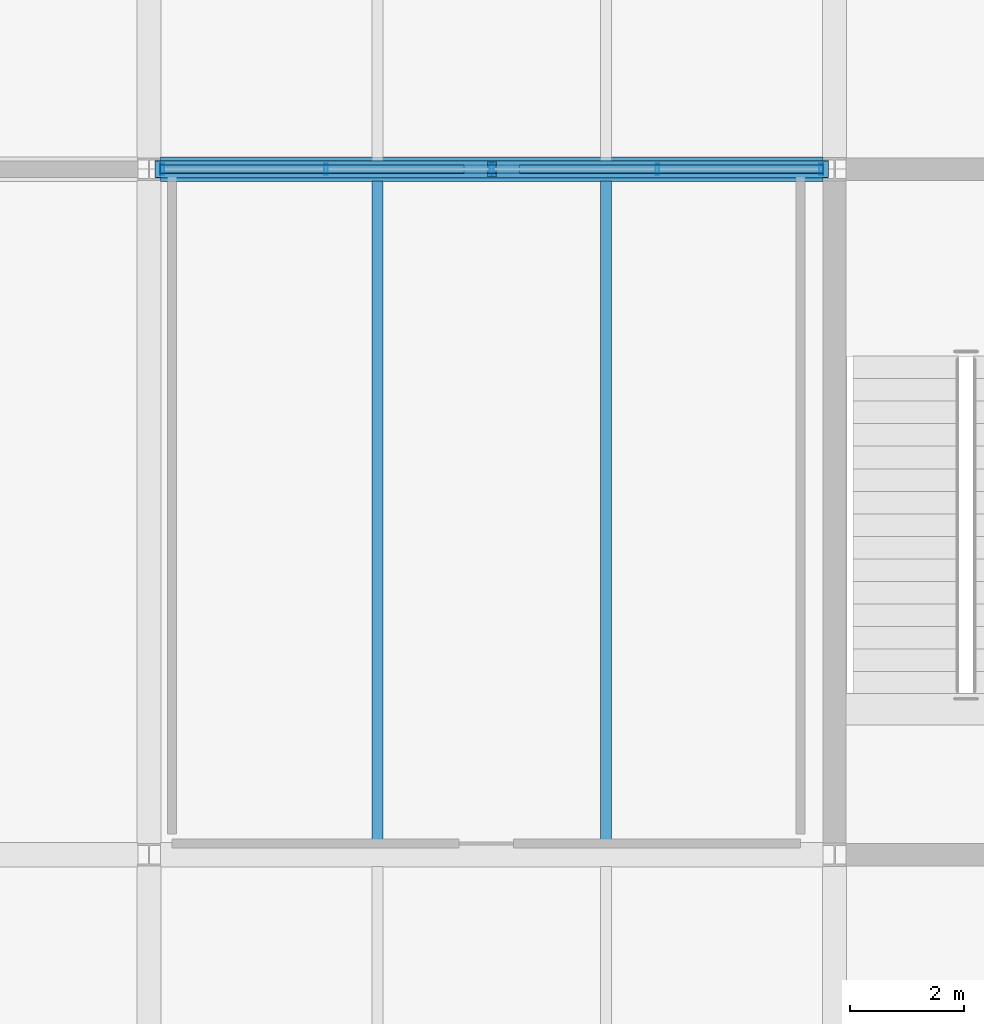
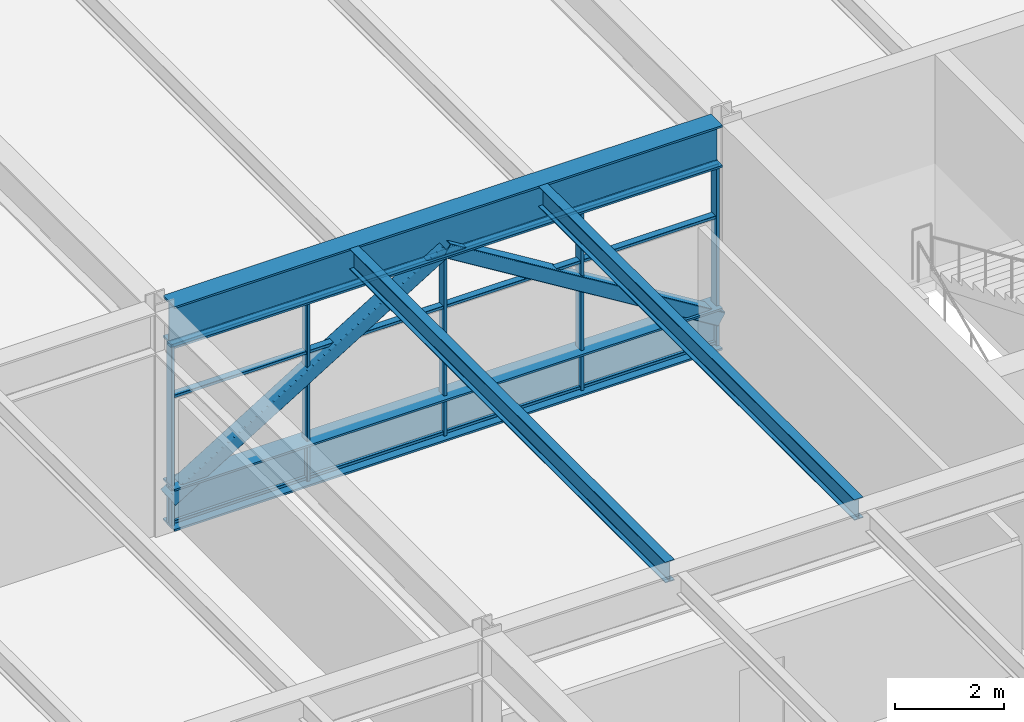
# One storey, part 10 of 42: 11 members, 3 beams, 1 element without a shape of its own.
"""IFC4 building model written with IfcOpenShell, lengths in metres."""

from ifc_helpers import new_model, si_unit, direction, frame, origin, origin_2d, place, context, subcontext, project, spatial, hollow_rectangle, i_section, extrude, material, material_profile, profile_set, type_object, element, aggregate, save


model = new_model("IFC4")

# Units and contexts
model_context = context("Model", 3, precision=1e-05, world=origin(), true_north=direction((0.0, 1.0)))
body_context = subcontext(model_context, "Body", "Model", "MODEL_VIEW")
ifc_project = project(units=[si_unit("LENGTHUNIT", "METRE"), si_unit("AREAUNIT", "SQUARE_METRE"), si_unit("VOLUMEUNIT", "CUBIC_METRE"), si_unit("PLANEANGLEUNIT", "RADIAN"), si_unit("MASSUNIT", "GRAM", prefix="KILO")], contexts=[model_context])

# Site, building, storey
site_placement = place(None, origin())
site = spatial("IfcSite", under=ifc_project, at=site_placement, CompositionType="ELEMENT")
building_placement = place(site_placement, origin())
building = spatial("IfcBuilding", under=site, at=building_placement, Name="Girod Span Mobility Hub", CompositionType="ELEMENT")
storey_placement = place(building_placement, frame((0.0, 0.0, 32.39990234375)))
storey = spatial("IfcBuildingStorey", under=building, at=storey_placement, Name="L08", CompositionType="ELEMENT", Elevation=32.39990234375)

# Beams
ifc_material_1 = material(Name="Steel A992 Grade 50", Category="steel")
ifc_material_profile_1 = material_profile(ifc_material_1, i_section(OverallWidth=0.19189453125, OverallDepth=0.462890625, WebThickness=0.010498046875, FlangeThickness=0.017578125, FilletRadius=0.013916015625, at=origin_2d()), Name="W18X60")
ifc_profile_set_1 = profile_set([ifc_material_profile_1], Name="Steel A992 Grade 50")
beam_type_1 = type_object("IfcBeamType", Name="BM-STL-W18X60", PredefinedType="BEAM", material=ifc_profile_set_1)
for number, where, z_axis, x_axis, name in (
    (1, (40.0, 57.20849609375, 4.80859375), (0.0, 1.0, 0.0), (-1.0, 0.0, 0.0), "Composite Floorbeam 4/E-1 L08"),
    (2, (44.0, 57.20849609375, 4.80859375), (0.0, 1.0, 0.0), (-1.0, 0.0, 0.0), "Composite Floorbeam 4/E-2 L08"),
):
    element("IfcBeam", number, at=place(storey_placement, frame(where, z_axis=z_axis, x_axis=x_axis)), inside=storey, type_object=beam_type_1, Name=name, PredefinedType="BEAM", context=body_context, shape_type="SweptSolid", body=[
        extrude(i_section(OverallWidth=0.19189453125, OverallDepth=0.462890625, WebThickness=0.010498046875, FlangeThickness=0.017578125, FilletRadius=0.013916015625, at=origin_2d()), origin(), (0.0, 0.0, 1.0), 11.5830078125),
    ])
ifc_material_2 = material(Name="Steel A992 Grade 50", Category="steel")
ifc_material_profile_2 = material_profile(ifc_material_2, i_section(OverallWidth=0.423095703125, OverallDepth=0.93994140625, WebThickness=0.02392578125, FlangeThickness=0.042724609375, FilletRadius=0.02392578125, at=origin_2d()), Name="W36X302")
ifc_profile_set_2 = profile_set([ifc_material_profile_2], Name="Steel A992 Grade 50")
beam_type_2 = type_object("IfcBeamType", Name="BM-STL-W36X302", PredefinedType="BEAM", material=ifc_profile_set_2)
beam_placement = place(storey_placement, frame((36.196533203125, 69.0, 4.570068359375), z_axis=(1.0, 0.0, 0.0), x_axis=(0.0, 1.0, 0.0)))
element("IfcBeam", 3, at=beam_placement, inside=storey, type_object=beam_type_2, Name="Girder 4-5/F L08", PredefinedType="BEAM", context=body_context, shape_type="SweptSolid", body=[
    extrude(i_section(OverallWidth=0.423095703125, OverallDepth=0.93994140625, WebThickness=0.02392578125, FlangeThickness=0.042724609375, FilletRadius=0.02392578125, at=origin_2d()), origin(), (0.0, 0.0, 1.0), 11.603515625),
])

# Curtain wall, members
ifc_material_3 = material(Name="Thermally Broken Anodised Aluminium", Category="aluminium")
curtain_wall_type = type_object("IfcCurtainWallType", Name="CW-1160X410", PredefinedType="USERDEFINED", material=ifc_material_3)
curtain_wall_placement = place(storey_placement, origin())
curtain_wall = element("IfcCurtainWall", 4, at=curtain_wall_placement, inside=storey, type_object=curtain_wall_type, Name="Unitised Curtain Wall CW-L08-N04 L08", ObjectType="UNITISED CURTAIN WALL", PredefinedType="USERDEFINED")
ifc_material_4 = material(Name="Thermally Broken Anodised Aluminium", Category="aluminium")
ifc_material_profile_3 = material_profile(ifc_material_4, hollow_rectangle(XDim=0.199951171875, YDim=0.06494140625, WallThickness=0.00390625, InnerFilletRadius=0.00390625, OuterFilletRadius=0.008056640625, at=origin_2d()), Name="CW-ML-65X200")
ifc_profile_set_3 = profile_set([ifc_material_profile_3], Name="Thermally Broken Anodised Aluminium")
member_type_1 = type_object("IfcMemberType", Name="CWM-ML-1", PredefinedType="MULLION", material=ifc_profile_set_3)
member_1_placement = place(storey_placement, frame((36.2294921875, 69.0, 0.0), z_axis=(0.0, 0.0, 1.0), x_axis=(0.0, 1.0, 0.0)))
member_1 = element("IfcMember", 5, at=member_1_placement, type_object=member_type_1, Name="Curtain Wall Mullion CW-L08-N04-M0", PredefinedType="MULLION", context=body_context, shape_type="SweptSolid", body=[
    extrude(hollow_rectangle(XDim=0.199951171875, YDim=0.06494140625, WallThickness=0.00390625, InnerFilletRadius=0.00390625, OuterFilletRadius=0.008056640625, at=origin_2d()), origin(), (0.0, 0.0, 1.0), 4.10009765625),
])
member_2_placement = place(storey_placement, frame((39.097900390625, 69.0, 0.0), z_axis=(0.0, 0.0, 1.0), x_axis=(0.0, 1.0, 0.0)))
member_2 = element("IfcMember", 6, at=member_2_placement, type_object=member_type_1, Name="Curtain Wall Mullion CW-L08-N04-M1", PredefinedType="MULLION", context=body_context, shape_type="SweptSolid", body=[
    extrude(hollow_rectangle(XDim=0.199951171875, YDim=0.06494140625, WallThickness=0.00390625, InnerFilletRadius=0.00390625, OuterFilletRadius=0.008056640625, at=origin_2d()), origin(), (0.0, 0.0, 1.0), 4.10009765625),
])
member_3_placement = place(storey_placement, frame((41.998291015625, 69.0, 0.0), z_axis=(0.0, 0.0, 1.0), x_axis=(0.0, 1.0, 0.0)))
member_3 = element("IfcMember", 7, at=member_3_placement, type_object=member_type_1, Name="Curtain Wall Mullion CW-L08-N04-M2", PredefinedType="MULLION", context=body_context, shape_type="SweptSolid", body=[
    extrude(hollow_rectangle(XDim=0.199951171875, YDim=0.06494140625, WallThickness=0.00390625, InnerFilletRadius=0.00390625, OuterFilletRadius=0.008056640625, at=origin_2d()), origin(), (0.0, 0.0, 1.0), 4.10009765625),
])
member_4_placement = place(storey_placement, frame((44.898681640625, 69.0, 0.0), z_axis=(0.0, 0.0, 1.0), x_axis=(0.0, 1.0, 0.0)))
member_4 = element("IfcMember", 8, at=member_4_placement, type_object=member_type_1, Name="Curtain Wall Mullion CW-L08-N04-M3", PredefinedType="MULLION", context=body_context, shape_type="SweptSolid", body=[
    extrude(hollow_rectangle(XDim=0.199951171875, YDim=0.06494140625, WallThickness=0.00390625, InnerFilletRadius=0.00390625, OuterFilletRadius=0.008056640625, at=origin_2d()), origin(), (0.0, 0.0, 1.0), 4.10009765625),
])
member_5_placement = place(storey_placement, frame((47.76708984375, 69.0, 0.0), z_axis=(0.0, 0.0, 1.0), x_axis=(0.0, 1.0, 0.0)))
member_5 = element("IfcMember", 9, at=member_5_placement, type_object=member_type_1, Name="Curtain Wall Mullion CW-L08-N04-M4", PredefinedType="MULLION", context=body_context, shape_type="SweptSolid", body=[
    extrude(hollow_rectangle(XDim=0.199951171875, YDim=0.06494140625, WallThickness=0.00390625, InnerFilletRadius=0.00390625, OuterFilletRadius=0.008056640625, at=origin_2d()), origin(), (0.0, 0.0, 1.0), 4.10009765625),
])
ifc_material_5 = material(Name="Thermally Broken Anodised Aluminium", Category="aluminium")
ifc_material_profile_4 = material_profile(ifc_material_5, hollow_rectangle(XDim=0.14990234375, YDim=0.06494140625, WallThickness=0.00390625, InnerFilletRadius=0.00390625, OuterFilletRadius=0.008056640625, at=origin_2d()), Name="CW-TR-65X150")
ifc_profile_set_4 = profile_set([ifc_material_profile_4], Name="Thermally Broken Anodised Aluminium")
member_type_2 = type_object("IfcMemberType", Name="CWM-TR-1", PredefinedType="USERDEFINED", material=ifc_profile_set_4)
member_6_placement = place(storey_placement, frame((36.197509765625, 69.0, 0.107666015625), z_axis=(1.0, 0.0, 0.0), x_axis=(0.0, 1.0, 0.0)))
member_6 = element("IfcMember", 10, at=member_6_placement, type_object=member_type_2, Name="Curtain Wall Transom CW-L08-N04-T1", ObjectType="TRANSOM", PredefinedType="USERDEFINED", context=body_context, shape_type="SweptSolid", body=[
    extrude(hollow_rectangle(XDim=0.14990234375, YDim=0.06494140625, WallThickness=0.00390625, InnerFilletRadius=0.00390625, OuterFilletRadius=0.008056640625, at=origin_2d()), origin(), (0.0, 0.0, 1.0), 11.6015625),
])
member_7_placement = place(storey_placement, frame((36.197509765625, 69.0, 2.919677734375), z_axis=(1.0, 0.0, 0.0), x_axis=(0.0, 1.0, 0.0)))
member_7 = element("IfcMember", 11, at=member_7_placement, type_object=member_type_2, Name="Curtain Wall Transom CW-L08-N04-T2", ObjectType="TRANSOM", PredefinedType="USERDEFINED", context=body_context, shape_type="SweptSolid", body=[
    extrude(hollow_rectangle(XDim=0.14990234375, YDim=0.06494140625, WallThickness=0.00390625, InnerFilletRadius=0.00390625, OuterFilletRadius=0.008056640625, at=origin_2d()), origin(), (0.0, 0.0, 1.0), 11.6015625),
])
member_8_placement = place(storey_placement, frame((36.197509765625, 69.0, 4.067626953125), z_axis=(1.0, 0.0, 0.0), x_axis=(0.0, 1.0, 0.0)))
member_8 = element("IfcMember", 12, at=member_8_placement, type_object=member_type_2, Name="Curtain Wall Transom CW-L08-N04-T3", ObjectType="TRANSOM", PredefinedType="USERDEFINED", context=body_context, shape_type="SweptSolid", body=[
    extrude(hollow_rectangle(XDim=0.14990234375, YDim=0.06494140625, WallThickness=0.00390625, InnerFilletRadius=0.00390625, OuterFilletRadius=0.008056640625, at=origin_2d()), origin(), (0.0, 0.0, 1.0), 11.6015625),
])
aggregate(curtain_wall, [member_1, member_2, member_3, member_4, member_5, member_6, member_7, member_8])

# Members
ifc_material_6 = material(Name="Steel HSS A500 Grade C", Category="steel")
ifc_material_profile_5 = material_profile(ifc_material_6, hollow_rectangle(XDim=0.304931640625, YDim=0.304931640625, WallThickness=0.014892578125, InnerFilletRadius=0.014892578125, OuterFilletRadius=0.029541015625, at=origin_2d()), Name="HSS305X305X16")
ifc_profile_set_5 = profile_set([ifc_material_profile_5], Name="Steel HSS A500 Grade C")
member_type_3 = type_object("IfcMemberType", Name="MB-BR-HSS305", PredefinedType="BRACE", material=ifc_profile_set_5)
member_9_placement = place(storey_placement, frame((36.179443359375, 69.0, 0.650146484375), z_axis=(0.852429572688, 0.0, 0.522842063731), x_axis=(0.0, 1.0, 0.0)))
element("IfcMember", 13, at=member_9_placement, inside=storey, type_object=member_type_3, Name="Warren Transfer Truss Web Diagonal Y=69 4-L", PredefinedType="BRACE", context=body_context, shape_type="SweptSolid", body=[
    extrude(hollow_rectangle(XDim=0.304931640625, YDim=0.304931640625, WallThickness=0.014892578125, InnerFilletRadius=0.014892578125, OuterFilletRadius=0.029541015625, at=origin_2d()), origin(), (0.0, 0.0, 1.0), 6.828125),
])
member_10_placement = place(storey_placement, frame((47.81689453125, 69.0, 0.650146484375), z_axis=(-0.852282861165, 0.0, 0.523081183531), x_axis=(0.0, -1.0, 0.0)))
element("IfcMember", 14, at=member_10_placement, inside=storey, type_object=member_type_3, Name="Warren Transfer Truss Web Diagonal Y=69 4-R", PredefinedType="BRACE", context=body_context, shape_type="SweptSolid", body=[
    extrude(hollow_rectangle(XDim=0.304931640625, YDim=0.304931640625, WallThickness=0.014892578125, InnerFilletRadius=0.014892578125, OuterFilletRadius=0.029541015625, at=origin_2d()), origin(), (0.0, 0.0, 1.0), 6.8251953125),
])
ifc_material_7 = material(Name="Steel A992 Grade 50", Category="steel")
ifc_material_profile_6 = material_profile(ifc_material_7, i_section(OverallWidth=0.423095703125, OverallDepth=0.93994140625, WebThickness=0.02392578125, FlangeThickness=0.042724609375, FilletRadius=0.02392578125, at=origin_2d()), Name="W36X302")
ifc_profile_set_6 = profile_set([ifc_material_profile_6], Name="Steel A992 Grade 50")
member_type_4 = type_object("IfcMemberType", Name="MB-CH-W36X302", PredefinedType="CHORD", material=ifc_profile_set_6)
member_11_placement = place(storey_placement, frame((36.196533203125, 69.0, 0.47998046875), z_axis=(1.0, 0.0, 0.0), x_axis=(0.0, 1.0, 0.0)))
element("IfcMember", 15, at=member_11_placement, inside=storey, type_object=member_type_4, Name="Warren Transfer Truss Bottom Chord Y=69 Bay 4", PredefinedType="CHORD", context=body_context, shape_type="SweptSolid", body=[
    extrude(i_section(OverallWidth=0.423095703125, OverallDepth=0.93994140625, WebThickness=0.02392578125, FlangeThickness=0.042724609375, FilletRadius=0.02392578125, at=origin_2d()), origin(), (0.0, 0.0, 1.0), 11.603515625),
])

save(model, "model.ifc")
